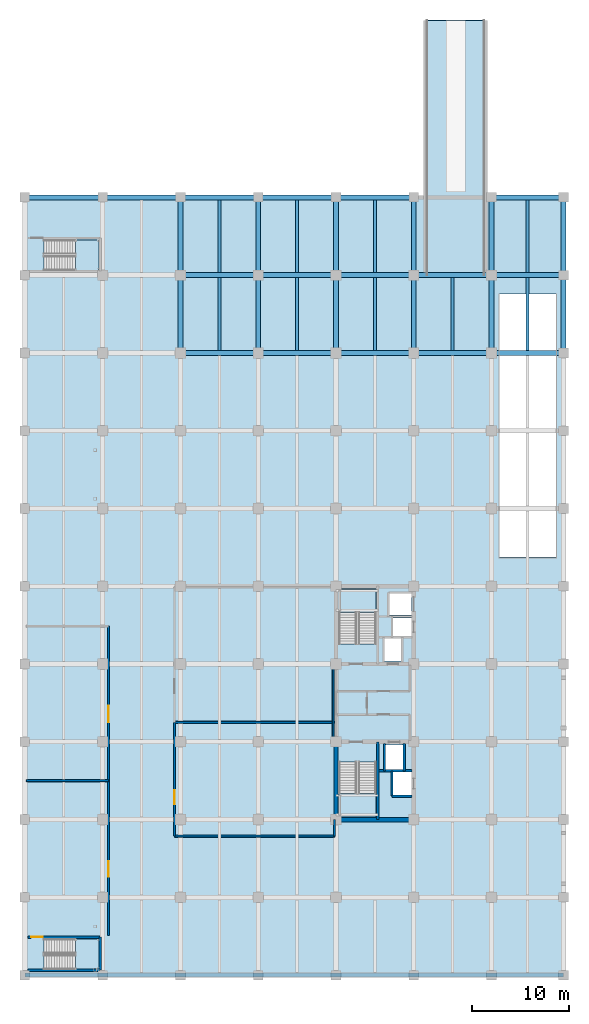
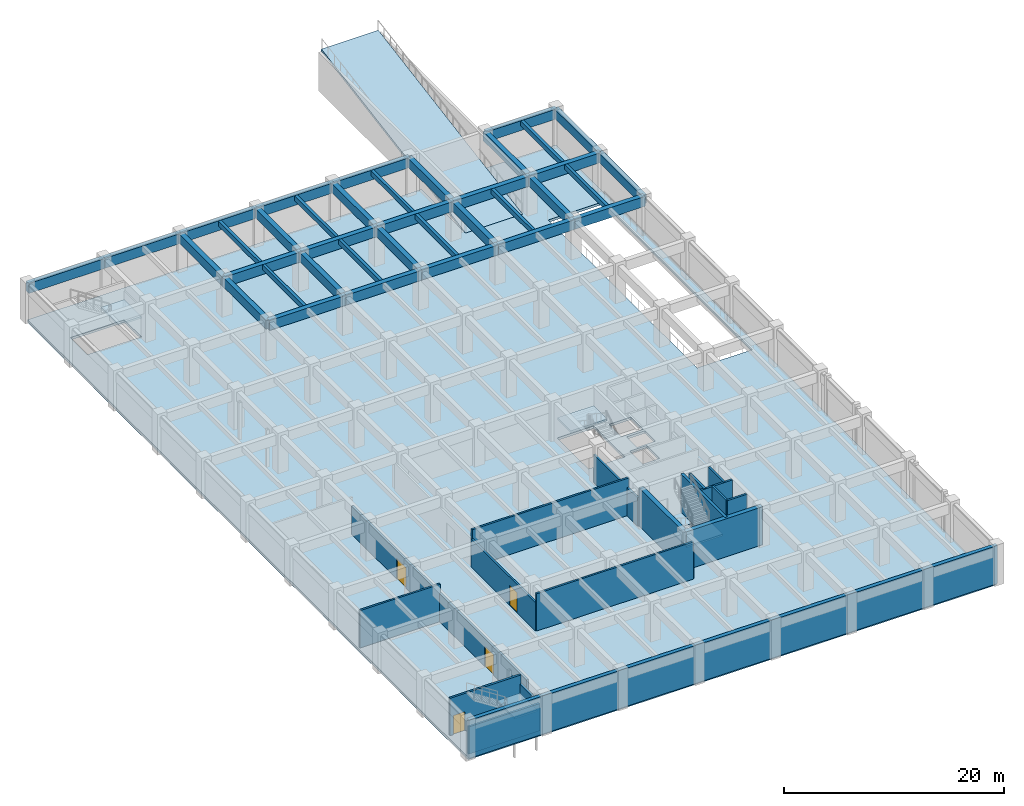
# One storey, part 9 of 16: 37 beams, 20 walls, 6 slabs, 4 doors, 4 openings, 4 elements without a shape of their own.
"""IFC4 building model written with IfcOpenShell, lengths in metres."""

from ifc_helpers import new_model, si_unit, direction, frame, frame_2d, origin, origin_2d, place, context, subcontext, project, spatial, polyline, rectangle, outline, extrude, material, layer, layer_set, material_profile, profile_set, type_object, element, fill, aggregate, save


model = new_model("IFC4")

# Units and contexts
model_context = context("Model", 3, precision=1e-05, world=origin(), true_north=direction((0.0, 1.0)))
body_context = subcontext(model_context, "Body", "Model", "MODEL_VIEW")
ifc_project = project(units=[si_unit("LENGTHUNIT", "METRE"), si_unit("AREAUNIT", "SQUARE_METRE"), si_unit("VOLUMEUNIT", "CUBIC_METRE"), si_unit("PLANEANGLEUNIT", "RADIAN"), si_unit("MASSUNIT", "GRAM", prefix="KILO")], contexts=[model_context])

# Site, building, storey
site_placement = place(None, origin())
site = spatial("IfcSite", under=ifc_project, at=site_placement, CompositionType="ELEMENT")
building_placement = place(site_placement, origin())
building = spatial("IfcBuilding", under=site, at=building_placement, Name="Canggui Botanical Conservatory", CompositionType="ELEMENT")
storey_placement = place(building_placement, frame((0.0, 0.0, -4.5)))
storey = spatial("IfcBuildingStorey", under=building, at=storey_placement, Name="B1", CompositionType="ELEMENT", Elevation=-4.5)

# Beams
ifc_material_1 = material(Name="Concrete C35", Category="concrete")
ifc_material_profile_1 = material_profile(ifc_material_1, rectangle(XDim=0.300048828125, YDim=0.550048828125, at=origin_2d()), Name="RB 300x550")
ifc_profile_set_1 = profile_set([ifc_material_profile_1], Name="Concrete C35")
beam_type_1 = type_object("IfcBeamType", Name="BM-JST01", PredefinedType="JOIST", material=ifc_profile_set_1)
for number, where, z_axis, x_axis, name in (
    (1, (142.0, 90.2548828125, 3.875), (0.0, 1.0, 0.0), (-1.0, 0.0, 0.0), "Secondary Floor Joist B1-3-9"),
    (2, (142.0, 98.2548828125, 3.875), (0.0, 1.0, 0.0), (-1.0, 0.0, 0.0), "Secondary Floor Joist B1-3-10"),
    (3, (150.0, 90.2548828125, 3.875), (0.0, 1.0, 0.0), (-1.0, 0.0, 0.0), "Secondary Floor Joist B1-4-9"),
    (4, (150.0, 98.2548828125, 3.875), (0.0, 1.0, 0.0), (-1.0, 0.0, 0.0), "Secondary Floor Joist B1-4-10"),
    (5, (158.0, 90.2548828125, 3.875), (0.0, 1.0, 0.0), (-1.0, 0.0, 0.0), "Secondary Floor Joist B1-5-9"),
    (6, (158.0, 98.2548828125, 3.875), (0.0, 1.0, 0.0), (-1.0, 0.0, 0.0), "Secondary Floor Joist B1-5-10"),
    (7, (166.0, 90.2548828125, 3.875), (0.0, 1.0, 0.0), (-1.0, 0.0, 0.0), "Secondary Floor Joist B1-6-9"),
    (8, (173.699951171875, 90.2548828125, 3.875), (0.0, 1.0, 0.0), (-1.0, 0.0, 0.0), "Secondary Floor Joist B1-7-9"),
    (9, (173.699951171875, 98.2548828125, 3.875), (0.0, 1.0, 0.0), (-1.0, 0.0, 0.0), "Secondary Floor Joist B1-7-10"),
):
    element("IfcBeam", number, at=place(storey_placement, frame(where, z_axis=z_axis, x_axis=x_axis)), inside=storey, type_object=beam_type_1, Name=name, PredefinedType="JOIST", context=body_context, shape_type="SweptSolid", body=[
        extrude(rectangle(XDim=0.300048828125, YDim=0.550048828125, at=origin_2d()), origin(), (0.0, 0.0, 1.0), 7.490234375),
    ])
ifc_material_profile_2 = material_profile(ifc_material_1, rectangle(XDim=0.5, YDim=1.10009765625, at=origin_2d()), Name="RB 500x1100")
ifc_profile_set_2 = profile_set([ifc_material_profile_2], Name="Concrete C35")
beam_type_2 = type_object("IfcBeamType", Name="BM-KL01", PredefinedType="BEAM", material=ifc_profile_set_2)
for number, where, z_axis, x_axis, name in (
    (10, (138.0, 90.0, 3.60009765625), (1.0, 0.0, 0.0), (0.0, 1.0, 0.0), "Frame Girder B1 Y90-3"),
    (11, (146.0, 90.0, 3.60009765625), (1.0, 0.0, 0.0), (0.0, 1.0, 0.0), "Frame Girder B1 Y90-4"),
    (12, (154.0, 90.0, 3.60009765625), (1.0, 0.0, 0.0), (0.0, 1.0, 0.0), "Frame Girder B1 Y90-5"),
    (13, (162.0, 90.0, 3.60009765625), (1.0, 0.0, 0.0), (0.0, 1.0, 0.0), "Frame Girder B1 Y90-6"),
):
    element("IfcBeam", number, at=place(storey_placement, frame(where, z_axis=z_axis, x_axis=x_axis)), inside=storey, type_object=beam_type_2, Name=name, PredefinedType="BEAM", context=body_context, shape_type="SweptSolid", body=[
        extrude(rectangle(XDim=0.5, YDim=1.10009765625, at=origin_2d()), origin(), (0.0, 0.0, 1.0), 8.0),
    ])
beam_1_placement = place(storey_placement, frame((170.0, 90.0, 3.60009765625), z_axis=(1.0, 0.0, 0.0), x_axis=(0.0, 1.0, 0.0)))
element("IfcBeam", 14, at=beam_1_placement, inside=storey, type_object=beam_type_2, Name="Frame Girder B1 Y90-7", PredefinedType="BEAM", context=body_context, shape_type="SweptSolid", body=[
    extrude(rectangle(XDim=0.5, YDim=1.10009765625, at=origin_2d()), origin(), (0.0, 0.0, 1.0), 7.39990234375),
])
for number, where, z_axis, x_axis, name in (
    (15, (138.0, 98.0, 3.60009765625), (1.0, 0.0, 0.0), (0.0, 1.0, 0.0), "Frame Girder B1 Y98-3"),
    (16, (146.0, 98.0, 3.60009765625), (1.0, 0.0, 0.0), (0.0, 1.0, 0.0), "Frame Girder B1 Y98-4"),
    (17, (154.0, 98.0, 3.60009765625), (1.0, 0.0, 0.0), (0.0, 1.0, 0.0), "Frame Girder B1 Y98-5"),
    (18, (162.0, 98.0, 3.60009765625), (1.0, 0.0, 0.0), (0.0, 1.0, 0.0), "Frame Girder B1 Y98-6"),
):
    element("IfcBeam", number, at=place(storey_placement, frame(where, z_axis=z_axis, x_axis=x_axis)), inside=storey, type_object=beam_type_2, Name=name, PredefinedType="BEAM", context=body_context, shape_type="SweptSolid", body=[
        extrude(rectangle(XDim=0.5, YDim=1.10009765625, at=origin_2d()), origin(), (0.0, 0.0, 1.0), 8.0),
    ])
beam_2_placement = place(storey_placement, frame((170.0, 98.0, 3.60009765625), z_axis=(1.0, 0.0, 0.0), x_axis=(0.0, 1.0, 0.0)))
element("IfcBeam", 19, at=beam_2_placement, inside=storey, type_object=beam_type_2, Name="Frame Girder B1 Y98-7", PredefinedType="BEAM", context=body_context, shape_type="SweptSolid", body=[
    extrude(rectangle(XDim=0.5, YDim=1.10009765625, at=origin_2d()), origin(), (0.0, 0.0, 1.0), 7.39990234375),
])
for number, where, z_axis, x_axis, name in (
    (20, (122.0, 106.0, 3.60009765625), (1.0, 0.0, 0.0), (0.0, 1.0, 0.0), "Frame Girder B1 Y106-1"),
    (21, (130.0, 106.0, 3.60009765625), (1.0, 0.0, 0.0), (0.0, 1.0, 0.0), "Frame Girder B1 Y106-2"),
    (22, (138.0, 106.0, 3.60009765625), (1.0, 0.0, 0.0), (0.0, 1.0, 0.0), "Frame Girder B1 Y106-3"),
    (23, (146.0, 106.0, 3.60009765625), (1.0, 0.0, 0.0), (0.0, 1.0, 0.0), "Frame Girder B1 Y106-4"),
    (24, (154.0, 106.0, 3.60009765625), (1.0, 0.0, 0.0), (0.0, 1.0, 0.0), "Frame Girder B1 Y106-5"),
):
    element("IfcBeam", number, at=place(storey_placement, frame(where, z_axis=z_axis, x_axis=x_axis)), inside=storey, type_object=beam_type_2, Name=name, PredefinedType="BEAM", context=body_context, shape_type="SweptSolid", body=[
        extrude(rectangle(XDim=0.5, YDim=1.10009765625, at=origin_2d()), origin(), (0.0, 0.0, 1.0), 8.0),
    ])
beam_3_placement = place(storey_placement, frame((170.0, 106.0, 3.60009765625), z_axis=(1.0, 0.0, 0.0), x_axis=(0.0, 1.0, 0.0)))
element("IfcBeam", 25, at=beam_3_placement, inside=storey, type_object=beam_type_2, Name="Frame Girder B1 Y106-7", PredefinedType="BEAM", context=body_context, shape_type="SweptSolid", body=[
    extrude(rectangle(XDim=0.5, YDim=1.10009765625, at=origin_2d()), origin(), (0.0, 0.0, 1.0), 7.39990234375),
])
ifc_material_profile_3 = material_profile(ifc_material_1, rectangle(XDim=0.5, YDim=1.0, at=origin_2d()), Name="RB 500x1000")
ifc_profile_set_3 = profile_set([ifc_material_profile_3], Name="Concrete C35")
beam_type_3 = type_object("IfcBeamType", Name="BM-KL02", PredefinedType="BEAM", material=ifc_profile_set_3)
for number, where, z_axis, x_axis, name in (
    (26, (138.0, 90.0, 3.64990234375), (0.0, 1.0, 0.0), (-1.0, 0.0, 0.0), "Frame Girder B1 X138-9"),
    (27, (138.0, 98.0, 3.64990234375), (0.0, 1.0, 0.0), (-1.0, 0.0, 0.0), "Frame Girder B1 X138-10"),
    (28, (146.0, 90.0, 3.64990234375), (0.0, 1.0, 0.0), (-1.0, 0.0, 0.0), "Frame Girder B1 X146-9"),
    (29, (146.0, 98.0, 3.64990234375), (0.0, 1.0, 0.0), (-1.0, 0.0, 0.0), "Frame Girder B1 X146-10"),
    (30, (154.0, 90.0, 3.64990234375), (0.0, 1.0, 0.0), (-1.0, 0.0, 0.0), "Frame Girder B1 X154-9"),
    (31, (154.0, 98.0, 3.64990234375), (0.0, 1.0, 0.0), (-1.0, 0.0, 0.0), "Frame Girder B1 X154-10"),
    (32, (162.0, 90.0, 3.64990234375), (0.0, 1.0, 0.0), (-1.0, 0.0, 0.0), "Frame Girder B1 X162-9"),
    (33, (162.0, 98.0, 3.64990234375), (0.0, 1.0, 0.0), (-1.0, 0.0, 0.0), "Frame Girder B1 X162-10"),
    (34, (170.0, 90.0, 3.64990234375), (0.0, 1.0, 0.0), (-1.0, 0.0, 0.0), "Frame Girder B1 X170-9"),
    (35, (170.0, 98.0, 3.64990234375), (0.0, 1.0, 0.0), (-1.0, 0.0, 0.0), "Frame Girder B1 X170-10"),
    (36, (177.39990234375, 90.0, 3.64990234375), (0.0, 1.0, 0.0), (-1.0, 0.0, 0.0), "Frame Girder B1 X178-9"),
    (37, (177.39990234375, 98.0, 3.64990234375), (0.0, 1.0, 0.0), (-1.0, 0.0, 0.0), "Frame Girder B1 X178-10"),
):
    element("IfcBeam", number, at=place(storey_placement, frame(where, z_axis=z_axis, x_axis=x_axis)), inside=storey, type_object=beam_type_3, Name=name, PredefinedType="BEAM", context=body_context, shape_type="SweptSolid", body=[
        extrude(rectangle(XDim=0.5, YDim=1.0, at=origin_2d()), origin(), (0.0, 0.0, 1.0), 8.0),
    ])

# Slabs
ifc_layer_1 = layer(ifc_material_1, 0.25, Name="Concrete C35", Category="concrete")
ifc_layer_set_1 = layer_set([ifc_layer_1], Name="Concrete C35")
slab_type_1 = type_object("IfcSlabType", Name="SLAB-F250", PredefinedType="FLOOR", material=ifc_layer_set_1)
slab_1_placement = place(storey_placement, frame((163.31005859375, 98.0, 0.0), z_axis=(0.0, -0.169277340411, 0.985568456285), x_axis=(1.0, 0.0, 0.0)))
element("IfcSlab", 38, at=slab_1_placement, inside=storey, type_object=slab_type_1, Name="Basement Two-Way Vehicle Ramp VR-01 Structural Deck Slab", PredefinedType="FLOOR", context=body_context, shape_type="SweptSolid", body=[
    extrude(outline(polyline([(0.0, 0.0), (5.97998046875, 0.0), (5.97998046875, 26.58359346304849), (0.0, 26.58359346304849), (0.0, 0.0)])), origin(), (0.0, 0.0, -1.0), 0.25),
])
ifc_layer_2 = layer(ifc_material_1, 0.280029296875, Name="Concrete C35", Category="concrete")
ifc_layer_set_2 = layer_set([ifc_layer_2], Name="Concrete C35")
slab_type_2 = type_object("IfcSlabType", Name="SLAB-F280", PredefinedType="FLOOR", material=ifc_layer_set_2)
slab_2_placement = place(storey_placement, frame((0.0, 0.0, -0.280029296875)))
element("IfcSlab", 39, at=slab_2_placement, inside=storey, type_object=slab_type_2, Name="Basement B1 Car Park and Vault Floor Slab", PredefinedType="FLOOR", context=body_context, shape_type="SweptSolid", body=[
    extrude(outline(polyline([(122.0, 26.0), (177.39990234375, 26.0), (177.39990234375, 106.0), (169.294921875, 106.0), (169.294921875, 97.9990234375), (163.304931640625, 97.9990234375), (163.304931640625, 106.0), (122.0, 106.0), (122.0, 26.0)]), holes=[polyline([(154.300048828125, 47.91943359375), (154.300048828125, 42.260009765625), (158.1201171875, 42.260009765625), (158.1201171875, 47.91943359375), (154.300048828125, 47.91943359375)]), polyline([(158.1201171875, 60.08056640625), (158.1201171875, 65.739990234375), (154.300048828125, 65.739990234375), (154.300048828125, 60.08056640625), (158.1201171875, 60.08056640625)]), polyline([(123.950439453125, 26.60009765625), (129.60009765625, 26.60009765625), (129.60009765625, 29.699951171875), (123.950439453125, 29.699951171875), (123.950439453125, 26.60009765625)]), polyline([(123.950439453125, 98.5), (129.60009765625, 98.5), (129.60009765625, 101.60009765625), (123.950439453125, 101.60009765625), (123.950439453125, 98.5)]), polyline([(159.050048828125, 47.14990234375), (160.949951171875, 47.14990234375), (160.949951171875, 49.64990234375), (159.050048828125, 49.64990234375), (159.050048828125, 47.14990234375)]), polyline([(159.85009765625, 44.5), (161.75, 44.5), (161.75, 46.89990234375), (159.85009765625, 46.89990234375), (159.85009765625, 44.5)]), polyline([(158.949951171875, 58.300048828125), (160.75, 58.300048828125), (160.75, 60.64990234375), (158.949951171875, 60.64990234375), (158.949951171875, 58.300048828125)]), polyline([(159.85009765625, 60.85009765625), (161.75, 60.85009765625), (161.75, 62.75), (159.85009765625, 62.75), (159.85009765625, 60.85009765625)]), polyline([(159.449951171875, 63.050048828125), (161.75, 63.050048828125), (161.75, 65.25), (159.449951171875, 65.25), (159.449951171875, 63.050048828125)]), polyline([(170.840087890625, 69.0), (176.6201171875, 69.0), (176.6201171875, 96.044921875), (170.840087890625, 96.044921875), (170.840087890625, 69.0)])]), origin(), (0.0, 0.0, 1.0), 0.280029296875),
])

# Stair, slab
stair_type_1 = type_object("IfcStairType", Name="STR-TYPE-5", PredefinedType="HALF_TURN_STAIR", material=ifc_material_1)
stair_1_placement = place(storey_placement, origin())
stair_1 = element("IfcStair", 40, at=stair_1_placement, inside=storey, type_object=stair_type_1, Name="B1 Tower South Smoke-Proof Stair ST-T1", PredefinedType="HALF_TURN_STAIR")
ifc_layer_3 = layer(ifc_material_1, 0.199951171875, Name="Concrete C35", Category="concrete")
ifc_layer_set_3 = layer_set([ifc_layer_3], Name="Concrete C35")
slab_type_3 = type_object("IfcSlabType", Name="SLAB-LND-200", PredefinedType="LANDING", material=ifc_layer_set_3)
slab_3_placement = place(storey_placement, frame((0.0, 0.0, 2.050048828125)))
slab_3 = element("IfcSlab", 41, at=slab_3_placement, type_object=slab_type_3, Name="ST-T1 landing 1", PredefinedType="LANDING", context=body_context, shape_type="SweptSolid", body=[
    extrude(outline(polyline([(154.300048828125, 44.70458984375), (154.300048828125, 42.260009765625), (158.1201171875, 42.260009765625), (158.1201171875, 44.70458984375), (154.300048828125, 44.70458984375)])), origin(), (0.0, 0.0, 1.0), 0.199951171875),
])
aggregate(stair_1, [slab_3])

stair_2_placement = place(storey_placement, origin())
stair_2 = element("IfcStair", 42, at=stair_2_placement, inside=storey, type_object=stair_type_1, Name="B1 Tower North Smoke-Proof Stair ST-T2", PredefinedType="HALF_TURN_STAIR")
slab_4_placement = place(storey_placement, frame((0.0, 0.0, 2.050048828125)))
slab_4 = element("IfcSlab", 43, at=slab_4_placement, type_object=slab_type_3, Name="ST-T2 landing 1", PredefinedType="LANDING", context=body_context, shape_type="SweptSolid", body=[
    extrude(outline(polyline([(158.1201171875, 63.29541015625), (158.1201171875, 65.739990234375), (154.300048828125, 65.739990234375), (154.300048828125, 63.29541015625), (158.1201171875, 63.29541015625)])), origin(), (0.0, 0.0, 1.0), 0.199951171875),
])
aggregate(stair_2, [slab_4])

stair_type_2 = type_object("IfcStairType", Name="STR-TYPE-2", PredefinedType="HALF_TURN_STAIR", material=ifc_material_1)
stair_3_placement = place(storey_placement, origin())
stair_3 = element("IfcStair", 44, at=stair_3_placement, inside=storey, type_object=stair_type_2, Name="B1 Basement South-West Escape Stair ST-G1", PredefinedType="HALF_TURN_STAIR")
slab_5_placement = place(storey_placement, frame((0.0, 0.0, 2.050048828125)))
slab_5 = element("IfcSlab", 45, at=slab_5_placement, type_object=slab_type_3, Name="ST-G1 landing 1", PredefinedType="LANDING", context=body_context, shape_type="SweptSolid", body=[
    extrude(outline(polyline([(127.189453125, 26.60009765625), (129.60009765625, 26.60009765625), (129.60009765625, 29.699951171875), (127.189453125, 29.699951171875), (127.189453125, 26.60009765625)])), origin(), (0.0, 0.0, 1.0), 0.199951171875),
])
aggregate(stair_3, [slab_5])

stair_4_placement = place(storey_placement, origin())
stair_4 = element("IfcStair", 46, at=stair_4_placement, inside=storey, type_object=stair_type_2, Name="B1 Basement North-West Escape Stair ST-G2", PredefinedType="HALF_TURN_STAIR")
slab_6_placement = place(storey_placement, frame((0.0, 0.0, 2.050048828125)))
slab_6 = element("IfcSlab", 47, at=slab_6_placement, type_object=slab_type_3, Name="ST-G2 landing 1", PredefinedType="LANDING", context=body_context, shape_type="SweptSolid", body=[
    extrude(outline(polyline([(127.189453125, 98.5), (129.60009765625, 98.5), (129.60009765625, 101.60009765625), (127.189453125, 101.60009765625), (127.189453125, 98.5)])), origin(), (0.0, 0.0, 1.0), 0.199951171875),
])
aggregate(stair_4, [slab_6])

# Wall, opening, door
ifc_layer_4 = layer(ifc_material_1, 0.195068359375, Name="Concrete C35", Category="concrete")
ifc_layer_set_4 = layer_set([ifc_layer_4], Name="Concrete C35")
wall_type_1 = type_object("IfcWallType", Name="IW-LOBBY-195", PredefinedType="STANDARD", material=ifc_layer_set_4)
wall_1_placement = place(storey_placement, frame((130.60009765625, 30.10009765625, 0.0), z_axis=(0.0, 0.0, 1.0), x_axis=(0.0, 1.0, 0.0)))
wall_1 = element("IfcWall", 48, at=wall_1_placement, inside=storey, type_object=wall_type_1, Name="B1 Plant Room Partition 1", PredefinedType="STANDARD", context=body_context, shape_type="SweptSolid", body=[
    extrude(rectangle(XDim=15.89990234375, YDim=0.195068359375, at=frame_2d((7.949951171875, 0.0))), origin(), (0.0, 0.0, 1.0), 3.1298828125),
])
opening_1_placement = place(wall_1_placement, frame((6.0, 0.0, 0.0)))
opening_1 = element("IfcOpeningElement", 49, at=opening_1_placement, cuts=wall_1, Name="Opening FD-15", PredefinedType="OPENING", context=body_context, shape_type="SweptSolid", body=[
    extrude(rectangle(XDim=1.60009765625, YDim=2.25, at=frame_2d((0.800048828125, 1.125))), frame((0.0, 0.107421875, 0.0), z_axis=(0.0, -1.0, 0.0), x_axis=(1.0, 0.0, 0.0)), (0.0, 0.0, 1.0), 0.215087890625),
])
ifc_material_2 = material(Name="Powder-Coated Steel", Category="steel")
door_type_1 = type_object("IfcDoorType", Name="FD-15", OperationType="NOTDEFINED", PredefinedType="DOOR", material=ifc_material_2)
door_1_placement = place(opening_1_placement, origin())
door_1 = element("IfcDoor", 50, at=door_1_placement, inside=storey, type_object=door_type_1, Name="Interior Door IW-B1-PLT1", OperationType="DOUBLE_DOOR_SINGLE_SWING", OverallHeight=2.25, OverallWidth=1.60009765625, PredefinedType="DOOR", context=body_context, shape_type="SweptSolid", body=[
    extrude(rectangle(XDim=1.60009765625, YDim=2.25, at=frame_2d((0.800048828125, 1.125))), frame((0.0, 0.02490234375, 0.0), z_axis=(0.0, -1.0, 0.0), x_axis=(1.0, 0.0, 0.0)), (0.0, 0.0, 1.0), 0.050048828125),
])
fill(opening_1, door_1)

wall_2_placement = place(storey_placement, frame((130.60009765625, 46.0, 0.0), z_axis=(0.0, 0.0, 1.0), x_axis=(0.0, 1.0, 0.0)))
wall_2 = element("IfcWall", 51, at=wall_2_placement, inside=storey, type_object=wall_type_1, Name="B1 Plant Room Partition 2", PredefinedType="STANDARD", context=body_context, shape_type="SweptSolid", body=[
    extrude(rectangle(XDim=15.89990234375, YDim=0.195068359375, at=frame_2d((7.949951171875, 0.0))), origin(), (0.0, 0.0, 1.0), 3.1298828125),
])
opening_2_placement = place(wall_2_placement, frame((6.0, 0.0, 0.0)))
opening_2 = element("IfcOpeningElement", 52, at=opening_2_placement, cuts=wall_2, Name="Opening FD-16", PredefinedType="OPENING", context=body_context, shape_type="SweptSolid", body=[
    extrude(rectangle(XDim=1.699951171875, YDim=2.300048828125, at=frame_2d((0.85009765625, 1.14990234375))), frame((0.0, 0.107421875, 0.0), z_axis=(0.0, -1.0, 0.0), x_axis=(1.0, 0.0, 0.0)), (0.0, 0.0, 1.0), 0.215087890625),
])
door_type_2 = type_object("IfcDoorType", Name="FD-16", OperationType="NOTDEFINED", PredefinedType="DOOR", material=ifc_material_2)
door_2_placement = place(opening_2_placement, origin())
door_2 = element("IfcDoor", 53, at=door_2_placement, inside=storey, type_object=door_type_2, Name="Interior Door IW-B1-PLT2", OperationType="DOUBLE_DOOR_SINGLE_SWING", OverallHeight=2.300048828125, OverallWidth=1.699951171875, PredefinedType="DOOR", context=body_context, shape_type="SweptSolid", body=[
    extrude(rectangle(XDim=1.699951171875, YDim=2.300048828125, at=frame_2d((0.85009765625, 1.14990234375))), frame((0.0, 0.02490234375, 0.0), z_axis=(0.0, -1.0, 0.0), x_axis=(1.0, 0.0, 0.0)), (0.0, 0.0, 1.0), 0.050048828125),
])
fill(opening_2, door_2)

# Wall
wall_3_placement = place(storey_placement, frame((122.14990234375, 46.0, 0.0), z_axis=(0.0, 0.0, 1.0), x_axis=(1.0, 0.0, 0.0)))
element("IfcWall", 54, at=wall_3_placement, inside=storey, type_object=wall_type_1, Name="B1 Plant Room Cross Wall", PredefinedType="STANDARD", context=body_context, shape_type="SweptSolid", body=[
    extrude(rectangle(XDim=8.4501953125, YDim=0.195068359375, at=frame_2d((4.22509765625, 0.0))), origin(), (0.0, 0.0, 1.0), 4.135009765625),
])

# Wall, opening, door
wall_4_placement = place(storey_placement, frame((137.39990234375, 40.300048828125, 0.0), z_axis=(0.0, 0.0, 1.0), x_axis=(0.0, 1.0, 0.0)))
wall_4 = element("IfcWall", 55, at=wall_4_placement, inside=storey, type_object=wall_type_1, Name="B1 Vault Enclosure 1", PredefinedType="STANDARD", context=body_context, shape_type="SweptSolid", body=[
    extrude(rectangle(XDim=11.699951171875, YDim=0.195068359375, at=frame_2d((5.85009765625, 0.0))), origin(), (0.0, 0.0, 1.0), 3.1298828125),
])
opening_3_placement = place(wall_4_placement, frame((3.300048828125, 0.0, 0.0)))
opening_3 = element("IfcOpeningElement", 56, at=opening_3_placement, cuts=wall_4, Name="Opening FD-11", PredefinedType="OPENING", context=body_context, shape_type="SweptSolid", body=[
    extrude(rectangle(XDim=1.39990234375, YDim=2.199951171875, at=frame_2d((0.699951171875, 1.10009765625))), frame((0.0, 0.107421875, 0.0), z_axis=(0.0, -1.0, 0.0), x_axis=(1.0, 0.0, 0.0)), (0.0, 0.0, 1.0), 0.215087890625),
])
door_type_3 = type_object("IfcDoorType", Name="FD-11", OperationType="NOTDEFINED", PredefinedType="DOOR", material=ifc_material_2)
door_3_placement = place(opening_3_placement, origin())
door_3 = element("IfcDoor", 57, at=door_3_placement, inside=storey, type_object=door_type_3, Name="Interior Door IW-B1-VLT1", OperationType="SINGLE_SWING_LEFT", OverallHeight=2.199951171875, OverallWidth=1.39990234375, PredefinedType="DOOR", context=body_context, shape_type="SweptSolid", body=[
    extrude(rectangle(XDim=1.39990234375, YDim=2.199951171875, at=frame_2d((0.699951171875, 1.10009765625))), frame((0.0, 0.02490234375, 0.0), z_axis=(0.0, -1.0, 0.0), x_axis=(1.0, 0.0, 0.0)), (0.0, 0.0, 1.0), 0.050048828125),
])
fill(opening_3, door_3)

# Walls
for number, where, z_axis, x_axis, name in (
    (58, (137.39990234375, 52.0, 0.0), (0.0, 0.0, 1.0), (1.0, 0.0, 0.0), "B1 Vault Cross Wall"),
    (59, (137.39990234375, 40.300048828125, 0.0), (0.0, 0.0, 1.0), (1.0, 0.0, 0.0), "B1 Vault South Wall"),
):
    element("IfcWall", number, at=place(storey_placement, frame(where, z_axis=z_axis, x_axis=x_axis)), inside=storey, type_object=wall_type_1, Name=name, PredefinedType="STANDARD", context=body_context, shape_type="SweptSolid", body=[
        extrude(rectangle(XDim=16.4501953125, YDim=0.195068359375, at=frame_2d((8.22509765625, 0.0))), origin(), (0.0, 0.0, 1.0), 4.135009765625),
    ])
wall_5_placement = place(storey_placement, frame((153.85009765625, 40.300048828125, 0.0), z_axis=(0.0, 0.0, 1.0), x_axis=(0.0, 1.0, 0.0)))
element("IfcWall", 60, at=wall_5_placement, inside=storey, type_object=wall_type_1, Name="B1 Vault East Tie Wall 1", PredefinedType="STANDARD", context=body_context, shape_type="SweptSolid", body=[
    extrude(rectangle(XDim=1.699951171875, YDim=0.195068359375, at=frame_2d((0.85009765625, 0.0))), origin(), (0.0, 0.0, 1.0), 3.1298828125),
])
wall_6_placement = place(storey_placement, frame((153.719970703125, 50.0, 0.0), z_axis=(0.0, 0.0, 1.0), x_axis=(0.0, 1.0, 0.0)))
element("IfcWall", 61, at=wall_6_placement, inside=storey, type_object=wall_type_1, Name="B1 Vault East Tie Wall 2", PredefinedType="STANDARD", context=body_context, shape_type="SweptSolid", body=[
    extrude(rectangle(XDim=8.0, YDim=0.195068359375, at=frame_2d((4.0, 0.0))), origin(), (0.0, 0.0, 1.0), 3.1298828125),
])

# Wall, opening, door
ifc_layer_5 = layer(ifc_material_1, 0.215087890625, Name="Concrete C35", Category="concrete")
ifc_layer_set_5 = layer_set([ifc_layer_5], Name="Concrete C35")
wall_type_2 = type_object("IfcWallType", Name="IW-SHAFT-215", PredefinedType="STANDARD", material=ifc_layer_set_5)
wall_7_placement = place(storey_placement, frame((122.300048828125, 29.89990234375, 0.0), z_axis=(0.0, 0.0, 1.0), x_axis=(1.0, 0.0, 0.0)))
wall_7 = element("IfcWall", 62, at=wall_7_placement, inside=storey, type_object=wall_type_2, Name="ST-G1 Shaft North Wall B1", PredefinedType="STANDARD", context=body_context, shape_type="SweptSolid", body=[
    extrude(rectangle(XDim=7.449951171875, YDim=0.215087890625, at=frame_2d((3.72509765625, 0.0))), origin(), (0.0, 0.0, 1.0), 4.135009765625),
])
opening_4_placement = place(wall_7_placement, frame((0.35009765625, 0.0, 0.0)))
opening_4 = element("IfcOpeningElement", 63, at=opening_4_placement, cuts=wall_7, Name="Opening FD-07", PredefinedType="OPENING", context=body_context, shape_type="SweptSolid", body=[
    extrude(rectangle(XDim=1.199951171875, YDim=2.10009765625, at=frame_2d((0.60009765625, 1.050048828125))), frame((0.0, 0.11767578125, 0.0), z_axis=(0.0, -1.0, 0.0), x_axis=(1.0, 0.0, 0.0)), (0.0, 0.0, 1.0), 0.235107421875),
])
door_type_4 = type_object("IfcDoorType", Name="FD-07", OperationType="NOTDEFINED", PredefinedType="DOOR", material=ifc_material_2)
door_4_placement = place(opening_4_placement, origin())
door_4 = element("IfcDoor", 64, at=door_4_placement, inside=storey, type_object=door_type_4, Name="ST-G1 Escape Stair Door B1", OperationType="SINGLE_SWING_RIGHT", OverallHeight=2.10009765625, OverallWidth=1.199951171875, PredefinedType="DOOR", context=body_context, shape_type="SweptSolid", body=[
    extrude(rectangle(XDim=1.199951171875, YDim=2.10009765625, at=frame_2d((0.60009765625, 1.050048828125))), frame((0.0, 0.02490234375, 0.0), z_axis=(0.0, -1.0, 0.0), x_axis=(1.0, 0.0, 0.0)), (0.0, 0.0, 1.0), 0.050048828125),
])
fill(opening_4, door_4)

# Walls
wall_8_placement = place(storey_placement, frame((129.75, 26.550048828125, 0.0), z_axis=(0.0, 0.0, 1.0), x_axis=(0.0, 1.0, 0.0)))
element("IfcWall", 65, at=wall_8_placement, inside=storey, type_object=wall_type_2, Name="ST-G1 Shaft East Wall B1", PredefinedType="STANDARD", context=body_context, shape_type="SweptSolid", body=[
    extrude(rectangle(XDim=3.349853515625, YDim=0.215087890625, at=frame_2d((1.6748046875, 0.0))), origin(), (0.0, 0.0, 1.0), 3.1298828125),
])
wall_9_placement = place(storey_placement, frame((129.75, 26.5, 0.0), z_axis=(0.0, 0.0, 1.0), x_axis=(-1.0, 0.0, 0.0)))
element("IfcWall", 66, at=wall_9_placement, inside=storey, type_object=wall_type_2, Name="ST-G1 Shaft South Wall B1", PredefinedType="STANDARD", context=body_context, shape_type="SweptSolid", body=[
    extrude(rectangle(XDim=7.449951171875, YDim=0.215087890625, at=frame_2d((3.72509765625, 0.0))), origin(), (0.0, 0.0, 1.0), 3.030029296875),
])
wall_10_placement = place(storey_placement, frame((158.449951171875, 47.02001953125, 0.0), z_axis=(0.0, 0.0, 1.0), x_axis=(1.0, 0.0, 0.0)))
element("IfcWall", 67, at=wall_10_placement, inside=storey, type_object=wall_type_2, Name="Core T1 Lift Shaft Divider B1", PredefinedType="STANDARD", context=body_context, shape_type="SweptSolid", body=[
    extrude(rectangle(XDim=3.35009765625, YDim=0.215087890625, at=frame_2d((1.675048828125, 0.0))), origin(), (0.0, 0.0, 1.0), 4.135009765625),
])
for number, where, z_axis, x_axis, name in (
    (68, (158.97998046875, 47.02001953125, 0.0), (0.0, 0.0, 1.0), (0.0, 1.0, 0.0), "Core T1 FL-01 West Shaft Wall B1"),
    (69, (161.02001953125, 47.02001953125, 0.0), (0.0, 0.0, 1.0), (0.0, 1.0, 0.0), "Core T1 FL-01 East Shaft Wall B1"),
):
    element("IfcWall", number, at=place(storey_placement, frame(where, z_axis=z_axis, x_axis=x_axis)), inside=storey, type_object=wall_type_2, Name=name, PredefinedType="STANDARD", context=body_context, shape_type="SweptSolid", body=[
        extrude(rectangle(XDim=2.780029296875, YDim=0.215087890625, at=frame_2d((1.39013671875, 0.0))), origin(), (0.0, 0.0, 1.0), 4.135009765625),
    ])
wall_11_placement = place(storey_placement, frame((159.780029296875, 44.39990234375, 0.0), z_axis=(0.0, 0.0, 1.0), x_axis=(0.0, 1.0, 0.0)))
element("IfcWall", 70, at=wall_11_placement, inside=storey, type_object=wall_type_2, Name="Core T1 PL-01 West Shaft Wall B1", PredefinedType="STANDARD", context=body_context, shape_type="SweptSolid", body=[
    extrude(rectangle(XDim=2.6201171875, YDim=0.215087890625, at=frame_2d((1.31005859375, 0.0))), origin(), (0.0, 0.0, 1.0), 4.135009765625),
])
wall_12_placement = place(storey_placement, frame((159.780029296875, 44.39990234375, 0.0), z_axis=(0.0, 0.0, 1.0), x_axis=(1.0, 0.0, 0.0)))
element("IfcWall", 71, at=wall_12_placement, inside=storey, type_object=wall_type_2, Name="Core T1 PL-01 South Shaft Wall B1", PredefinedType="STANDARD", context=body_context, shape_type="SweptSolid", body=[
    extrude(rectangle(XDim=2.02001953125, YDim=0.215087890625, at=frame_2d((1.010009765625, 0.0))), origin(), (0.0, 0.0, 1.0), 4.135009765625),
])
ifc_material_3 = material(Name="Concrete C40", Category="concrete")
ifc_layer_6 = layer(ifc_material_3, 0.39990234375, Name="Concrete C40", Category="concrete")
ifc_layer_set_6 = layer_set([ifc_layer_6], Name="Concrete C40")
wall_type_3 = type_object("IfcWallType", Name="WALL-RET-400", PredefinedType="SOLIDWALL", material=ifc_layer_set_6)
wall_13_placement = place(storey_placement, frame((122.0, 26.0, 0.0), z_axis=(0.0, 0.0, 1.0), x_axis=(1.0, 0.0, 0.0)))
element("IfcWall", 72, at=wall_13_placement, inside=storey, type_object=wall_type_3, Name="Basement Waterproof Retaining Wall B1-01", PredefinedType="SOLIDWALL", context=body_context, shape_type="SweptSolid", body=[
    extrude(rectangle(XDim=55.39990234375, YDim=0.39990234375, at=frame_2d((27.699951171875, 0.0))), origin(), (0.0, 0.0, 1.0), 4.219970703125),
])
ifc_layer_7 = layer(ifc_material_1, 0.280029296875, Name="Concrete C35", Category="concrete")
ifc_layer_set_7 = layer_set([ifc_layer_7], Name="Concrete C35")
wall_type_4 = type_object("IfcWallType", Name="WALL-SH-280-C35", PredefinedType="SHEAR", material=ifc_layer_set_7)
wall_14_placement = place(storey_placement, frame((158.300048828125, 42.0, 0.0), z_axis=(0.0, 0.0, 1.0), x_axis=(0.0, 1.0, 0.0)))
element("IfcWall", 73, at=wall_14_placement, inside=storey, type_object=wall_type_4, Name="Core T1 Internal Shear Web B1", PredefinedType="SHEAR", context=body_context, shape_type="SweptSolid", body=[
    extrude(rectangle(XDim=8.0, YDim=0.280029296875, at=frame_2d((4.0, 0.0))), origin(), (0.0, 0.0, 1.0), 4.219970703125),
])
ifc_material_4 = material(Name="Concrete C50", Category="concrete")
ifc_layer_8 = layer(ifc_material_4, 0.449951171875, Name="Concrete C50", Category="concrete")
ifc_layer_set_8 = layer_set([ifc_layer_8], Name="Concrete C50")
wall_type_5 = type_object("IfcWallType", Name="WALL-SH-450-C50", PredefinedType="SHEAR", material=ifc_layer_set_8)
for number, where, z_axis, x_axis, name in (
    (74, (154.0, 42.0, 0.0), (0.0, 0.0, 1.0), (1.0, 0.0, 0.0), "Core T1 Shear Wall B1-S"),
    (75, (154.0, 50.0, 0.0), (0.0, 0.0, 1.0), (0.0, -1.0, 0.0), "Core T1 Shear Wall B1-W"),
):
    element("IfcWall", number, at=place(storey_placement, frame(where, z_axis=z_axis, x_axis=x_axis)), inside=storey, type_object=wall_type_5, Name=name, PredefinedType="SHEAR", context=body_context, shape_type="SweptSolid", body=[
        extrude(rectangle(XDim=8.0, YDim=0.449951171875, at=frame_2d((4.0, 0.0))), origin(), (0.0, 0.0, 1.0), 4.219970703125),
    ])

save(model, "model.ifc")
